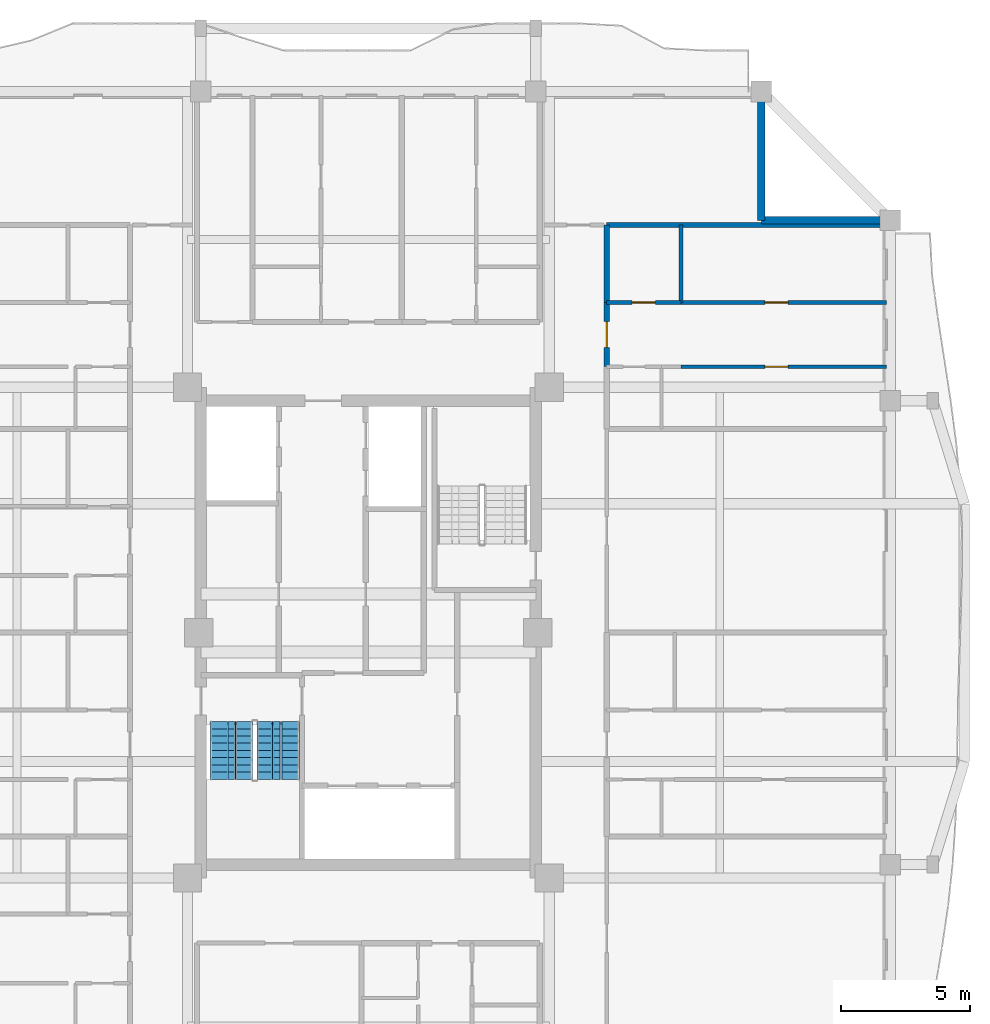
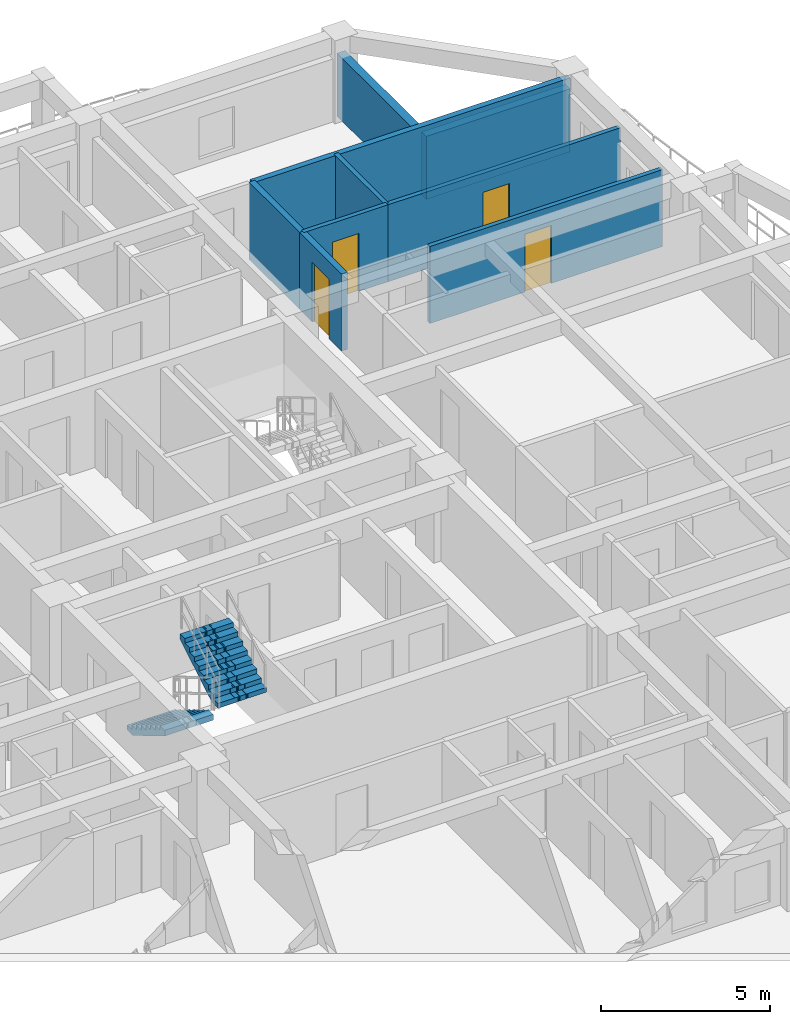
# One storey, part 7 of 13: 9 walls, 4 doors, 2 stair flights, 4 openings, 1 element without a shape of its own.
"""IFC4 building model written with IfcOpenShell, lengths in metres."""

from ifc_helpers import new_model, si_unit, direction, frame, frame_2d, origin, place, context, subcontext, project, spatial, polyline, rectangle, outline, extrude, source, transform, mapped, material, layer, layer_set, type_object, element, fill, aggregate, save


model = new_model("IFC4")

# Units and contexts
model_context = context("Model", 3, precision=1e-05, world=origin(), true_north=direction((0.0, 1.0)))
body_context = subcontext(model_context, "Body", "Model", "MODEL_VIEW")
ifc_project = project(units=[si_unit("LENGTHUNIT", "METRE"), si_unit("AREAUNIT", "SQUARE_METRE"), si_unit("VOLUMEUNIT", "CUBIC_METRE"), si_unit("PLANEANGLEUNIT", "RADIAN"), si_unit("MASSUNIT", "GRAM", prefix="KILO")], contexts=[model_context])

# Site, building, storey
site_placement = place(None, origin())
site = spatial("IfcSite", under=ifc_project, at=site_placement, CompositionType="ELEMENT")
building_placement = place(site_placement, origin())
building = spatial("IfcBuilding", under=site, at=building_placement, Name="Saelheon Loggia Tower", CompositionType="ELEMENT")
storey_placement = place(building_placement, frame((0.0, 0.0, 189.699951171875)))
storey = spatial("IfcBuildingStorey", under=building, at=storey_placement, Name="L59", CompositionType="ELEMENT", Elevation=189.699951171875)

# Walls
ifc_material_1 = material(Name="Architectural Precast Concrete C40/50", Category="concrete")
ifc_layer_1 = layer(ifc_material_1, 0.280029296875)
ifc_layer_set_1 = layer_set([ifc_layer_1], Name="Architectural Precast Concrete C40/50")
wall_type_1 = type_object("IfcWallType", Name="Wall_Ext_Loggia_280", PredefinedType="SOLIDWALL", material=ifc_layer_set_1)
for number, where, z_axis, x_axis, name in (
    (1, (53.25, 43.0, 0.0), (0.0, 0.0, 1.0), (0.0, 1.0, 0.0), "L59 Corner Notch Precast Wall NE1"),
    (2, (53.25, 43.0, 0.0), (0.0, 0.0, 1.0), (1.0, 0.0, 0.0), "L59 Corner Notch Precast Wall NE2"),
):
    element("IfcWall", number, at=place(storey_placement, frame(where, z_axis=z_axis, x_axis=x_axis)), inside=storey, type_object=wall_type_1, Name=name, PredefinedType="SOLIDWALL", context=body_context, shape_type="SweptSolid", body=[
        extrude(rectangle(XDim=4.919921875, YDim=0.280029296875, at=frame_2d((2.4599609375, 0.0))), origin(), (0.0, 0.0, 1.0), 2.280029296875),
    ])
ifc_material_2 = material(Name="Lightweight Autoclaved Aerated Concrete Block and Acoustic Gypsum", Category="concrete")
ifc_layer_2 = layer(ifc_material_2, 0.14990234375)
ifc_layer_set_2 = layer_set([ifc_layer_2], Name="Lightweight Autoclaved Aerated Concrete Block and Acoustic Gypsum")
wall_type_2 = type_object("IfcWallType", Name="Wall_Part_150", PredefinedType="PARTITIONING", material=ifc_layer_set_2)
wall_1_placement = place(storey_placement, frame((50.1298828125, 39.814208984375, 0.0), z_axis=(0.0, 0.0, 1.0), x_axis=(0.0, 1.0, 0.0)))
element("IfcWall", 3, at=wall_1_placement, inside=storey, type_object=wall_type_2, Name="L59 E Partition V22", PredefinedType="PARTITIONING", context=body_context, shape_type="SweptSolid", body=[
    extrude(rectangle(XDim=3.005859375, YDim=0.14990234375, at=frame_2d((1.5029296875, 0.0))), origin(), (0.0, 0.0, 1.0), 2.7900390625),
])

# Wall, opening, door
wall_2_placement = place(storey_placement, frame((50.1298828125, 37.320068359375, 0.0), z_axis=(0.0, 0.0, 1.0), x_axis=(1.0, 0.0, 0.0)))
wall_2 = element("IfcWall", 4, at=wall_2_placement, inside=storey, type_object=wall_type_2, Name="L59 E Partition U25", PredefinedType="PARTITIONING", context=body_context, shape_type="SweptSolid", body=[
    extrude(rectangle(XDim=7.97021484375, YDim=0.14990234375, at=frame_2d((3.985107421875, 0.0))), origin(), (0.0, 0.0, 1.0), 2.7900390625),
])
opening_1_placement = place(wall_2_placement, frame((3.260498046875, 0.0, 0.0)))
opening_1 = element("IfcOpeningElement", 5, at=opening_1_placement, cuts=wall_2, Name="Opening D-IN2", PredefinedType="OPENING", context=body_context, shape_type="SweptSolid", body=[
    extrude(rectangle(XDim=0.89990234375, YDim=2.10009765625, at=frame_2d((0.449951171875, 1.050048828125))), frame((0.0, 0.0869140625, 0.0), z_axis=(0.0, -1.0, 0.0), x_axis=(1.0, 0.0, 0.0)), (0.0, 0.0, 1.0), 0.173828125),
])
ifc_material_3 = material(Name="Engineered Oak Flush Door", Category="timber")
door_type_1 = type_object("IfcDoorType", Name="Door_Int_900", OperationType="NOTDEFINED", PredefinedType="DOOR", material=ifc_material_3)
shared_shape_1 = source(origin(), body_context, "Body", "SweptSolid", [
    extrude(rectangle(XDim=0.89990234375, YDim=2.10009765625, at=frame_2d((0.449951171875, 1.050048828125))), frame((0.0, 0.02490234375, 0.0), z_axis=(0.0, -1.0, 0.0), x_axis=(1.0, 0.0, 0.0)), (0.0, 0.0, 1.0), 0.050048828125),
])
door_1_placement = place(opening_1_placement, origin())
door_1 = element("IfcDoor", 6, at=door_1_placement, inside=storey, type_object=door_type_1, Name="Unit U09 Kitchen Door", OperationType="SINGLE_SWING_LEFT", OverallHeight=2.10009765625, OverallWidth=0.89990234375, PredefinedType="DOOR", context=body_context, shape_type="MappedRepresentation", body=[
    mapped(shared_shape_1, transform((0.0, 0.0, 0.0), scale=1.0)),
])
fill(opening_1, door_1)

wall_3_placement = place(storey_placement, frame((47.25, 39.814208984375, 0.0), z_axis=(0.0, 0.0, 1.0), x_axis=(1.0, 0.0, 0.0)))
wall_3 = element("IfcWall", 7, at=wall_3_placement, inside=storey, type_object=wall_type_2, Name="L59 E Partition U26", PredefinedType="PARTITIONING", context=body_context, shape_type="SweptSolid", body=[
    extrude(rectangle(XDim=2.8798828125, YDim=0.14990234375, at=frame_2d((1.43994140625, 0.0))), origin(), (0.0, 0.0, 1.0), 2.7900390625),
])
opening_2_placement = place(wall_3_placement, frame((0.989990234375, 0.0, 0.0)))
opening_2 = element("IfcOpeningElement", 8, at=opening_2_placement, cuts=wall_3, Name="Opening D-IN2", PredefinedType="OPENING", context=body_context, shape_type="SweptSolid", body=[
    extrude(rectangle(XDim=0.89990234375, YDim=2.10009765625, at=frame_2d((0.449951171875, 1.050048828125))), frame((0.0, 0.0869140625, 0.0), z_axis=(0.0, -1.0, 0.0), x_axis=(1.0, 0.0, 0.0)), (0.0, 0.0, 1.0), 0.173828125),
])
door_2_placement = place(opening_2_placement, origin())
door_2 = element("IfcDoor", 9, at=door_2_placement, inside=storey, type_object=door_type_1, Name="Unit U09 Dressing Closet Door", OperationType="SINGLE_SWING_RIGHT", OverallHeight=2.10009765625, OverallWidth=0.89990234375, PredefinedType="DOOR", context=body_context, shape_type="MappedRepresentation", body=[
    mapped(shared_shape_1, transform((0.0, 0.0, 0.0), scale=1.0)),
])
fill(opening_2, door_2)

wall_4_placement = place(storey_placement, frame((50.1298828125, 39.814208984375, 0.0), z_axis=(0.0, 0.0, 1.0), x_axis=(1.0, 0.0, 0.0)))
wall_4 = element("IfcWall", 10, at=wall_4_placement, inside=storey, type_object=wall_type_2, Name="L59 E Partition U27", PredefinedType="PARTITIONING", context=body_context, shape_type="SweptSolid", body=[
    extrude(rectangle(XDim=7.97021484375, YDim=0.14990234375, at=frame_2d((3.985107421875, 0.0))), origin(), (0.0, 0.0, 1.0), 2.7900390625),
])
opening_3_placement = place(wall_4_placement, frame((3.260498046875, 0.0, 0.0)))
opening_3 = element("IfcOpeningElement", 11, at=opening_3_placement, cuts=wall_4, Name="Opening D-IN2", PredefinedType="OPENING", context=body_context, shape_type="SweptSolid", body=[
    extrude(rectangle(XDim=0.89990234375, YDim=2.10009765625, at=frame_2d((0.449951171875, 1.050048828125))), frame((0.0, 0.0869140625, 0.0), z_axis=(0.0, -1.0, 0.0), x_axis=(1.0, 0.0, 0.0)), (0.0, 0.0, 1.0), 0.173828125),
])
door_3_placement = place(opening_3_placement, origin())
door_3 = element("IfcDoor", 12, at=door_3_placement, inside=storey, type_object=door_type_1, Name="Unit U09 Bedroom 1 Door", OperationType="SINGLE_SWING_LEFT", OverallHeight=2.10009765625, OverallWidth=0.89990234375, PredefinedType="DOOR", context=body_context, shape_type="MappedRepresentation", body=[
    mapped(shared_shape_1, transform((0.0, 0.0, 0.0), scale=1.0)),
])
fill(opening_3, door_3)

# Wall
ifc_material_4 = material(Name="Double Acoustic Stud and Fireboard Partition", Category="gypsum")
ifc_layer_3 = layer(ifc_material_4, 0.199951171875)
ifc_layer_set_3 = layer_set([ifc_layer_3], Name="Double Acoustic Stud and Fireboard Partition")
wall_type_3 = type_object("IfcWallType", Name="Wall_Party_200", PredefinedType="PARTITIONING", material=ifc_layer_set_3)
wall_5_placement = place(storey_placement, frame((47.25, 42.820068359375, 0.0), z_axis=(0.0, 0.0, 1.0), x_axis=(1.0, 0.0, 0.0)))
element("IfcWall", 13, at=wall_5_placement, inside=storey, type_object=wall_type_3, Name="L59 E Partition U02", PredefinedType="PARTITIONING", context=body_context, shape_type="SweptSolid", body=[
    extrude(rectangle(XDim=10.85009765625, YDim=0.199951171875, at=frame_2d((5.425048828125, 0.0))), origin(), (0.0, 0.0, 1.0), 2.7900390625),
])

# Wall, opening, door
wall_6_placement = place(storey_placement, frame((47.25, 37.320068359375, 0.0), z_axis=(0.0, 0.0, 1.0), x_axis=(0.0, 1.0, 0.0)))
wall_6 = element("IfcWall", 14, at=wall_6_placement, inside=storey, type_object=wall_type_3, Name="L59 E Partition V19", PredefinedType="PARTITIONING", context=body_context, shape_type="SweptSolid", body=[
    extrude(rectangle(XDim=2.494140625, YDim=0.199951171875, at=frame_2d((1.2470703125, 0.0))), origin(), (0.0, 0.0, 1.0), 2.7900390625),
])
opening_4_placement = place(wall_6_placement, frame((0.7470703125, 0.0, 0.0)))
opening_4 = element("IfcOpeningElement", 15, at=opening_4_placement, cuts=wall_6, Name="Opening D-FD1", PredefinedType="OPENING", context=body_context, shape_type="SweptSolid", body=[
    extrude(rectangle(XDim=1.0, YDim=2.14990234375, at=frame_2d((0.5, 1.074951171875))), frame((0.0, 0.112060546875, 0.0), z_axis=(0.0, -1.0, 0.0), x_axis=(1.0, 0.0, 0.0)), (0.0, 0.0, 1.0), 0.223876953125),
])
ifc_material_5 = material(Name="Fire-Rated Engineered Timber Entrance Door", Category="wood")
door_type_2 = type_object("IfcDoorType", Name="Door_Flat_FD30S", OperationType="NOTDEFINED", PredefinedType="DOOR", material=ifc_material_5)
shared_shape_2 = source(origin(), body_context, "Body", "SweptSolid", [
    extrude(rectangle(XDim=1.0, YDim=2.14990234375, at=frame_2d((0.5, 1.074951171875))), frame((0.0, 0.02490234375, 0.0), z_axis=(0.0, -1.0, 0.0), x_axis=(1.0, 0.0, 0.0)), (0.0, 0.0, 1.0), 0.050048828125),
])
door_4_placement = place(opening_4_placement, origin())
door_4 = element("IfcDoor", 16, at=door_4_placement, inside=storey, type_object=door_type_2, Name="Unit U09 Entrance Door", OperationType="SINGLE_SWING_LEFT", OverallHeight=2.14990234375, OverallWidth=1.0, PredefinedType="DOOR", context=body_context, shape_type="MappedRepresentation", body=[
    mapped(shared_shape_2, transform((0.0, 0.0, 0.0), scale=1.0)),
])
fill(opening_4, door_4)

# Wall
wall_7_placement = place(storey_placement, frame((47.25, 39.814208984375, 0.0), z_axis=(0.0, 0.0, 1.0), x_axis=(0.0, 1.0, 0.0)))
element("IfcWall", 17, at=wall_7_placement, inside=storey, type_object=wall_type_3, Name="L59 E Partition V20", PredefinedType="PARTITIONING", context=body_context, shape_type="SweptSolid", body=[
    extrude(rectangle(XDim=3.005859375, YDim=0.199951171875, at=frame_2d((1.5029296875, 0.0))), origin(), (0.0, 0.0, 1.0), 2.7900390625),
])

# Stair, stair flights
ifc_material_6 = material(Name="Concrete C40/50", Category="concrete")
stair_type = type_object("IfcStairType", Name="Stair_Escape_Core", PredefinedType="HALF_TURN_STAIR", material=ifc_material_6)
stair_placement = place(storey_placement, origin())
stair = element("IfcStair", 18, at=stair_placement, inside=storey, type_object=stair_type, Name="L59 Special Escape Stair ST1", PredefinedType="HALF_TURN_STAIR")
stair_flight_type = type_object("IfcStairFlightType", Name="StairFlight_Tower_1660", PredefinedType="STRAIGHT", material=ifc_material_6)
stair_flight_1_placement = place(storey_placement, frame((32.679931640625, 23.550048828125, 0.0), z_axis=(0.0, 0.0, 1.0), x_axis=(0.0, -1.0, 0.0)))
stair_flight_1 = element("IfcStairFlight", 19, at=stair_flight_1_placement, type_object=stair_flight_type, Name="ST1 flight 1", NumberOfRisers=9, NumberOfTreads=8, PredefinedType="STRAIGHT", RiserHeight=0.166666667, TreadLength=0.28, context=body_context, shape_type="SweptSolid", body=[
    extrude(outline(polyline([(0.0, 0.0), (0.0, 0.166748046875), (0.280029296875, 0.166748046875), (0.280029296875, 0.333251953125), (0.56005859375, 0.333251953125), (0.56005859375, 0.5), (0.840087890625, 0.5), (0.840087890625, 0.666748046875), (1.1201171875, 0.666748046875), (1.1201171875, 0.833251953125), (1.39990234375, 0.833251953125), (1.39990234375, 1.0), (1.679931640625, 1.0), (1.679931640625, 1.166748046875), (1.9599609375, 1.166748046875), (1.9599609375, 1.333251953125), (2.239990234375, 1.333251953125), (2.239990234375, 1.5), (2.239990234375, 1.1240234375), (0.351806640625, 0.0), (0.0, 0.0)])), frame((0.0, -0.2490234375, 0.0), z_axis=(0.0, -1.0, 0.0), x_axis=(1.0, 0.0, 0.0)), (0.0, 0.0, 1.0), 0.5810546875),
    extrude(outline(polyline([(0.0, 0.0), (0.0, 0.166748046875), (0.280029296875, 0.166748046875), (0.280029296875, 0.333251953125), (0.56005859375, 0.333251953125), (0.56005859375, 0.5), (0.840087890625, 0.5), (0.840087890625, 0.666748046875), (1.1201171875, 0.666748046875), (1.1201171875, 0.833251953125), (1.39990234375, 0.833251953125), (1.39990234375, 1.0), (1.679931640625, 1.0), (1.679931640625, 1.166748046875), (1.9599609375, 1.166748046875), (1.9599609375, 1.333251953125), (2.239990234375, 1.333251953125), (2.239990234375, 1.5), (2.239990234375, 1.1240234375), (0.351806640625, 0.0), (0.0, 0.0)])), frame((0.0, -0.194091796875, 0.0), z_axis=(0.0, -1.0, 0.0), x_axis=(1.0, 0.0, 0.0)), (0.0, 0.0, 1.0), 0.0498046875),
    extrude(outline(polyline([(0.0, 0.0), (0.0, 0.166748046875), (0.280029296875, 0.166748046875), (0.280029296875, 0.333251953125), (0.56005859375, 0.333251953125), (0.56005859375, 0.5), (0.840087890625, 0.5), (0.840087890625, 0.666748046875), (1.1201171875, 0.666748046875), (1.1201171875, 0.833251953125), (1.39990234375, 0.833251953125), (1.39990234375, 1.0), (1.679931640625, 1.0), (1.679931640625, 1.166748046875), (1.9599609375, 1.166748046875), (1.9599609375, 1.333251953125), (2.239990234375, 1.333251953125), (2.239990234375, 1.5), (2.239990234375, 1.1240234375), (0.351806640625, 0.0), (0.0, 0.0)])), frame((0.0, -0.139404296875, 0.0), z_axis=(0.0, -1.0, 0.0), x_axis=(1.0, 0.0, 0.0)), (0.0, 0.0, 1.0), 0.0498046875),
    extrude(outline(polyline([(0.0, 0.0), (0.0, 0.166748046875), (0.280029296875, 0.166748046875), (0.280029296875, 0.333251953125), (0.56005859375, 0.333251953125), (0.56005859375, 0.5), (0.840087890625, 0.5), (0.840087890625, 0.666748046875), (1.1201171875, 0.666748046875), (1.1201171875, 0.833251953125), (1.39990234375, 0.833251953125), (1.39990234375, 1.0), (1.679931640625, 1.0), (1.679931640625, 1.166748046875), (1.9599609375, 1.166748046875), (1.9599609375, 1.333251953125), (2.239990234375, 1.333251953125), (2.239990234375, 1.5), (2.239990234375, 1.1240234375), (0.351806640625, 0.0), (0.0, 0.0)])), frame((0.0, -0.084716796875, 0.0), z_axis=(0.0, -1.0, 0.0), x_axis=(1.0, 0.0, 0.0)), (0.0, 0.0, 1.0), 0.0498046875),
    extrude(outline(polyline([(0.0, 0.0), (0.0, 0.166748046875), (0.280029296875, 0.166748046875), (0.280029296875, 0.333251953125), (0.56005859375, 0.333251953125), (0.56005859375, 0.5), (0.840087890625, 0.5), (0.840087890625, 0.666748046875), (1.1201171875, 0.666748046875), (1.1201171875, 0.833251953125), (1.39990234375, 0.833251953125), (1.39990234375, 1.0), (1.679931640625, 1.0), (1.679931640625, 1.166748046875), (1.9599609375, 1.166748046875), (1.9599609375, 1.333251953125), (2.239990234375, 1.333251953125), (2.239990234375, 1.5), (2.239990234375, 1.1240234375), (0.351806640625, 0.0), (0.0, 0.0)])), frame((0.0, -0.02978515625, 0.0), z_axis=(0.0, -1.0, 0.0), x_axis=(1.0, 0.0, 0.0)), (0.0, 0.0, 1.0), 0.0498046875),
    extrude(outline(polyline([(0.0, 0.0), (0.0, 0.166748046875), (0.280029296875, 0.166748046875), (0.280029296875, 0.333251953125), (0.56005859375, 0.333251953125), (0.56005859375, 0.5), (0.840087890625, 0.5), (0.840087890625, 0.666748046875), (1.1201171875, 0.666748046875), (1.1201171875, 0.833251953125), (1.39990234375, 0.833251953125), (1.39990234375, 1.0), (1.679931640625, 1.0), (1.679931640625, 1.166748046875), (1.9599609375, 1.166748046875), (1.9599609375, 1.333251953125), (2.239990234375, 1.333251953125), (2.239990234375, 1.5), (2.239990234375, 1.1240234375), (0.351806640625, 0.0), (0.0, 0.0)])), frame((0.0, 0.02490234375, 0.0), z_axis=(0.0, -1.0, 0.0), x_axis=(1.0, 0.0, 0.0)), (0.0, 0.0, 1.0), 0.0498046875),
    extrude(outline(polyline([(0.0, 0.0), (0.0, 0.166748046875), (0.280029296875, 0.166748046875), (0.280029296875, 0.333251953125), (0.56005859375, 0.333251953125), (0.56005859375, 0.5), (0.840087890625, 0.5), (0.840087890625, 0.666748046875), (1.1201171875, 0.666748046875), (1.1201171875, 0.833251953125), (1.39990234375, 0.833251953125), (1.39990234375, 1.0), (1.679931640625, 1.0), (1.679931640625, 1.166748046875), (1.9599609375, 1.166748046875), (1.9599609375, 1.333251953125), (2.239990234375, 1.333251953125), (2.239990234375, 1.5), (2.239990234375, 1.1240234375), (0.351806640625, 0.0), (0.0, 0.0)])), frame((0.0, 0.07958984375, 0.0), z_axis=(0.0, -1.0, 0.0), x_axis=(1.0, 0.0, 0.0)), (0.0, 0.0, 1.0), 0.0498046875),
    extrude(outline(polyline([(0.0, 0.0), (0.0, 0.166748046875), (0.280029296875, 0.166748046875), (0.280029296875, 0.333251953125), (0.56005859375, 0.333251953125), (0.56005859375, 0.5), (0.840087890625, 0.5), (0.840087890625, 0.666748046875), (1.1201171875, 0.666748046875), (1.1201171875, 0.833251953125), (1.39990234375, 0.833251953125), (1.39990234375, 1.0), (1.679931640625, 1.0), (1.679931640625, 1.166748046875), (1.9599609375, 1.166748046875), (1.9599609375, 1.333251953125), (2.239990234375, 1.333251953125), (2.239990234375, 1.5), (2.239990234375, 1.1240234375), (0.351806640625, 0.0), (0.0, 0.0)])), frame((0.0, 0.134521484375, 0.0), z_axis=(0.0, -1.0, 0.0), x_axis=(1.0, 0.0, 0.0)), (0.0, 0.0, 1.0), 0.0498046875),
    extrude(outline(polyline([(0.0, 0.0), (0.0, 0.166748046875), (0.280029296875, 0.166748046875), (0.280029296875, 0.333251953125), (0.56005859375, 0.333251953125), (0.56005859375, 0.5), (0.840087890625, 0.5), (0.840087890625, 0.666748046875), (1.1201171875, 0.666748046875), (1.1201171875, 0.833251953125), (1.39990234375, 0.833251953125), (1.39990234375, 1.0), (1.679931640625, 1.0), (1.679931640625, 1.166748046875), (1.9599609375, 1.166748046875), (1.9599609375, 1.333251953125), (2.239990234375, 1.333251953125), (2.239990234375, 1.5), (2.239990234375, 1.1240234375), (0.351806640625, 0.0), (0.0, 0.0)])), frame((0.0, 0.189208984375, 0.0), z_axis=(0.0, -1.0, 0.0), x_axis=(1.0, 0.0, 0.0)), (0.0, 0.0, 1.0), 0.0498046875),
    extrude(outline(polyline([(0.0, 0.0), (0.0, 0.166748046875), (0.280029296875, 0.166748046875), (0.280029296875, 0.333251953125), (0.56005859375, 0.333251953125), (0.56005859375, 0.5), (0.840087890625, 0.5), (0.840087890625, 0.666748046875), (1.1201171875, 0.666748046875), (1.1201171875, 0.833251953125), (1.39990234375, 0.833251953125), (1.39990234375, 1.0), (1.679931640625, 1.0), (1.679931640625, 1.166748046875), (1.9599609375, 1.166748046875), (1.9599609375, 1.333251953125), (2.239990234375, 1.333251953125), (2.239990234375, 1.5), (2.239990234375, 1.1240234375), (0.351806640625, 0.0), (0.0, 0.0)])), frame((0.0, 0.243896484375, 0.0), z_axis=(0.0, -1.0, 0.0), x_axis=(1.0, 0.0, 0.0)), (0.0, 0.0, 1.0), 0.0498046875),
    extrude(outline(polyline([(0.0, 0.0), (0.0, 0.166748046875), (0.280029296875, 0.166748046875), (0.280029296875, 0.333251953125), (0.56005859375, 0.333251953125), (0.56005859375, 0.5), (0.840087890625, 0.5), (0.840087890625, 0.666748046875), (1.1201171875, 0.666748046875), (1.1201171875, 0.833251953125), (1.39990234375, 0.833251953125), (1.39990234375, 1.0), (1.679931640625, 1.0), (1.679931640625, 1.166748046875), (1.9599609375, 1.166748046875), (1.9599609375, 1.333251953125), (2.239990234375, 1.333251953125), (2.239990234375, 1.5), (2.239990234375, 1.1240234375), (0.351806640625, 0.0), (0.0, 0.0)])), frame((0.0, 0.830078125, 0.0), z_axis=(0.0, -1.0, 0.0), x_axis=(1.0, 0.0, 0.0)), (0.0, 0.0, 1.0), 0.5810546875),
])
stair_flight_2_placement = place(storey_placement, frame((34.5, 21.31005859375, 1.5), z_axis=(0.0, 0.0, 1.0), x_axis=(0.0, 1.0, 0.0)))
stair_flight_2 = element("IfcStairFlight", 20, at=stair_flight_2_placement, type_object=stair_flight_type, Name="ST1 flight 2", NumberOfRisers=9, NumberOfTreads=8, PredefinedType="STRAIGHT", RiserHeight=0.166666667, TreadLength=0.28, context=body_context, shape_type="SweptSolid", body=[
    extrude(outline(polyline([(0.0, 0.0), (0.0, 0.166748046875), (0.280029296875, 0.166748046875), (0.280029296875, 0.333251953125), (0.56005859375, 0.333251953125), (0.56005859375, 0.5), (0.840087890625, 0.5), (0.840087890625, 0.666748046875), (1.1201171875, 0.666748046875), (1.1201171875, 0.833251953125), (1.39990234375, 0.833251953125), (1.39990234375, 1.0), (1.679931640625, 1.0), (1.679931640625, 1.166748046875), (1.9599609375, 1.166748046875), (1.9599609375, 1.333251953125), (2.239990234375, 1.333251953125), (2.239990234375, 1.5), (2.239990234375, 1.1240234375), (0.351806640625, 0.0), (0.0, 0.0)])), frame((0.0, -0.2490234375, 0.0), z_axis=(0.0, -1.0, 0.0), x_axis=(1.0, 0.0, 0.0)), (0.0, 0.0, 1.0), 0.5810546875),
    extrude(outline(polyline([(0.0, 0.0), (0.0, 0.166748046875), (0.280029296875, 0.166748046875), (0.280029296875, 0.333251953125), (0.56005859375, 0.333251953125), (0.56005859375, 0.5), (0.840087890625, 0.5), (0.840087890625, 0.666748046875), (1.1201171875, 0.666748046875), (1.1201171875, 0.833251953125), (1.39990234375, 0.833251953125), (1.39990234375, 1.0), (1.679931640625, 1.0), (1.679931640625, 1.166748046875), (1.9599609375, 1.166748046875), (1.9599609375, 1.333251953125), (2.239990234375, 1.333251953125), (2.239990234375, 1.5), (2.239990234375, 1.1240234375), (0.351806640625, 0.0), (0.0, 0.0)])), frame((0.0, -0.194091796875, 0.0), z_axis=(0.0, -1.0, 0.0), x_axis=(1.0, 0.0, 0.0)), (0.0, 0.0, 1.0), 0.0498046875),
    extrude(outline(polyline([(0.0, 0.0), (0.0, 0.166748046875), (0.280029296875, 0.166748046875), (0.280029296875, 0.333251953125), (0.56005859375, 0.333251953125), (0.56005859375, 0.5), (0.840087890625, 0.5), (0.840087890625, 0.666748046875), (1.1201171875, 0.666748046875), (1.1201171875, 0.833251953125), (1.39990234375, 0.833251953125), (1.39990234375, 1.0), (1.679931640625, 1.0), (1.679931640625, 1.166748046875), (1.9599609375, 1.166748046875), (1.9599609375, 1.333251953125), (2.239990234375, 1.333251953125), (2.239990234375, 1.5), (2.239990234375, 1.1240234375), (0.351806640625, 0.0), (0.0, 0.0)])), frame((0.0, -0.139404296875, 0.0), z_axis=(0.0, -1.0, 0.0), x_axis=(1.0, 0.0, 0.0)), (0.0, 0.0, 1.0), 0.0498046875),
    extrude(outline(polyline([(0.0, 0.0), (0.0, 0.166748046875), (0.280029296875, 0.166748046875), (0.280029296875, 0.333251953125), (0.56005859375, 0.333251953125), (0.56005859375, 0.5), (0.840087890625, 0.5), (0.840087890625, 0.666748046875), (1.1201171875, 0.666748046875), (1.1201171875, 0.833251953125), (1.39990234375, 0.833251953125), (1.39990234375, 1.0), (1.679931640625, 1.0), (1.679931640625, 1.166748046875), (1.9599609375, 1.166748046875), (1.9599609375, 1.333251953125), (2.239990234375, 1.333251953125), (2.239990234375, 1.5), (2.239990234375, 1.1240234375), (0.351806640625, 0.0), (0.0, 0.0)])), frame((0.0, -0.084716796875, 0.0), z_axis=(0.0, -1.0, 0.0), x_axis=(1.0, 0.0, 0.0)), (0.0, 0.0, 1.0), 0.0498046875),
    extrude(outline(polyline([(0.0, 0.0), (0.0, 0.166748046875), (0.280029296875, 0.166748046875), (0.280029296875, 0.333251953125), (0.56005859375, 0.333251953125), (0.56005859375, 0.5), (0.840087890625, 0.5), (0.840087890625, 0.666748046875), (1.1201171875, 0.666748046875), (1.1201171875, 0.833251953125), (1.39990234375, 0.833251953125), (1.39990234375, 1.0), (1.679931640625, 1.0), (1.679931640625, 1.166748046875), (1.9599609375, 1.166748046875), (1.9599609375, 1.333251953125), (2.239990234375, 1.333251953125), (2.239990234375, 1.5), (2.239990234375, 1.1240234375), (0.351806640625, 0.0), (0.0, 0.0)])), frame((0.0, -0.02978515625, 0.0), z_axis=(0.0, -1.0, 0.0), x_axis=(1.0, 0.0, 0.0)), (0.0, 0.0, 1.0), 0.0498046875),
    extrude(outline(polyline([(0.0, 0.0), (0.0, 0.166748046875), (0.280029296875, 0.166748046875), (0.280029296875, 0.333251953125), (0.56005859375, 0.333251953125), (0.56005859375, 0.5), (0.840087890625, 0.5), (0.840087890625, 0.666748046875), (1.1201171875, 0.666748046875), (1.1201171875, 0.833251953125), (1.39990234375, 0.833251953125), (1.39990234375, 1.0), (1.679931640625, 1.0), (1.679931640625, 1.166748046875), (1.9599609375, 1.166748046875), (1.9599609375, 1.333251953125), (2.239990234375, 1.333251953125), (2.239990234375, 1.5), (2.239990234375, 1.1240234375), (0.351806640625, 0.0), (0.0, 0.0)])), frame((0.0, 0.02490234375, 0.0), z_axis=(0.0, -1.0, 0.0), x_axis=(1.0, 0.0, 0.0)), (0.0, 0.0, 1.0), 0.0498046875),
    extrude(outline(polyline([(0.0, 0.0), (0.0, 0.166748046875), (0.280029296875, 0.166748046875), (0.280029296875, 0.333251953125), (0.56005859375, 0.333251953125), (0.56005859375, 0.5), (0.840087890625, 0.5), (0.840087890625, 0.666748046875), (1.1201171875, 0.666748046875), (1.1201171875, 0.833251953125), (1.39990234375, 0.833251953125), (1.39990234375, 1.0), (1.679931640625, 1.0), (1.679931640625, 1.166748046875), (1.9599609375, 1.166748046875), (1.9599609375, 1.333251953125), (2.239990234375, 1.333251953125), (2.239990234375, 1.5), (2.239990234375, 1.1240234375), (0.351806640625, 0.0), (0.0, 0.0)])), frame((0.0, 0.07958984375, 0.0), z_axis=(0.0, -1.0, 0.0), x_axis=(1.0, 0.0, 0.0)), (0.0, 0.0, 1.0), 0.0498046875),
    extrude(outline(polyline([(0.0, 0.0), (0.0, 0.166748046875), (0.280029296875, 0.166748046875), (0.280029296875, 0.333251953125), (0.56005859375, 0.333251953125), (0.56005859375, 0.5), (0.840087890625, 0.5), (0.840087890625, 0.666748046875), (1.1201171875, 0.666748046875), (1.1201171875, 0.833251953125), (1.39990234375, 0.833251953125), (1.39990234375, 1.0), (1.679931640625, 1.0), (1.679931640625, 1.166748046875), (1.9599609375, 1.166748046875), (1.9599609375, 1.333251953125), (2.239990234375, 1.333251953125), (2.239990234375, 1.5), (2.239990234375, 1.1240234375), (0.351806640625, 0.0), (0.0, 0.0)])), frame((0.0, 0.134521484375, 0.0), z_axis=(0.0, -1.0, 0.0), x_axis=(1.0, 0.0, 0.0)), (0.0, 0.0, 1.0), 0.0498046875),
    extrude(outline(polyline([(0.0, 0.0), (0.0, 0.166748046875), (0.280029296875, 0.166748046875), (0.280029296875, 0.333251953125), (0.56005859375, 0.333251953125), (0.56005859375, 0.5), (0.840087890625, 0.5), (0.840087890625, 0.666748046875), (1.1201171875, 0.666748046875), (1.1201171875, 0.833251953125), (1.39990234375, 0.833251953125), (1.39990234375, 1.0), (1.679931640625, 1.0), (1.679931640625, 1.166748046875), (1.9599609375, 1.166748046875), (1.9599609375, 1.333251953125), (2.239990234375, 1.333251953125), (2.239990234375, 1.5), (2.239990234375, 1.1240234375), (0.351806640625, 0.0), (0.0, 0.0)])), frame((0.0, 0.189208984375, 0.0), z_axis=(0.0, -1.0, 0.0), x_axis=(1.0, 0.0, 0.0)), (0.0, 0.0, 1.0), 0.0498046875),
    extrude(outline(polyline([(0.0, 0.0), (0.0, 0.166748046875), (0.280029296875, 0.166748046875), (0.280029296875, 0.333251953125), (0.56005859375, 0.333251953125), (0.56005859375, 0.5), (0.840087890625, 0.5), (0.840087890625, 0.666748046875), (1.1201171875, 0.666748046875), (1.1201171875, 0.833251953125), (1.39990234375, 0.833251953125), (1.39990234375, 1.0), (1.679931640625, 1.0), (1.679931640625, 1.166748046875), (1.9599609375, 1.166748046875), (1.9599609375, 1.333251953125), (2.239990234375, 1.333251953125), (2.239990234375, 1.5), (2.239990234375, 1.1240234375), (0.351806640625, 0.0), (0.0, 0.0)])), frame((0.0, 0.243896484375, 0.0), z_axis=(0.0, -1.0, 0.0), x_axis=(1.0, 0.0, 0.0)), (0.0, 0.0, 1.0), 0.0498046875),
    extrude(outline(polyline([(0.0, 0.0), (0.0, 0.166748046875), (0.280029296875, 0.166748046875), (0.280029296875, 0.333251953125), (0.56005859375, 0.333251953125), (0.56005859375, 0.5), (0.840087890625, 0.5), (0.840087890625, 0.666748046875), (1.1201171875, 0.666748046875), (1.1201171875, 0.833251953125), (1.39990234375, 0.833251953125), (1.39990234375, 1.0), (1.679931640625, 1.0), (1.679931640625, 1.166748046875), (1.9599609375, 1.166748046875), (1.9599609375, 1.333251953125), (2.239990234375, 1.333251953125), (2.239990234375, 1.5), (2.239990234375, 1.1240234375), (0.351806640625, 0.0), (0.0, 0.0)])), frame((0.0, 0.830078125, 0.0), z_axis=(0.0, -1.0, 0.0), x_axis=(1.0, 0.0, 0.0)), (0.0, 0.0, 1.0), 0.5810546875),
])
aggregate(stair, [stair_flight_1, stair_flight_2])

save(model, "model.ifc")
